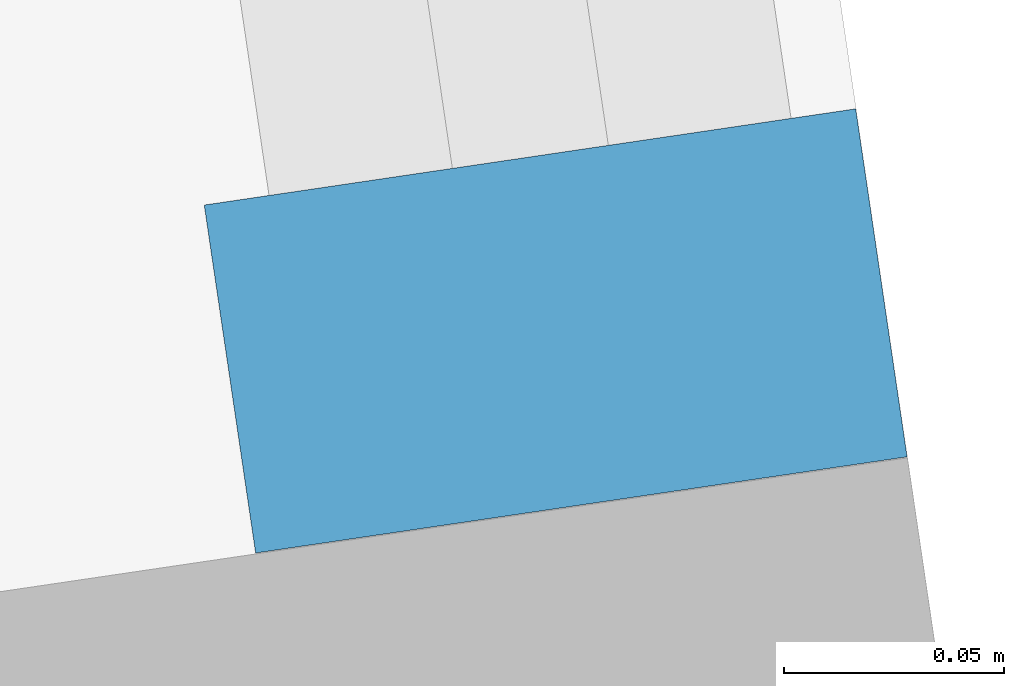
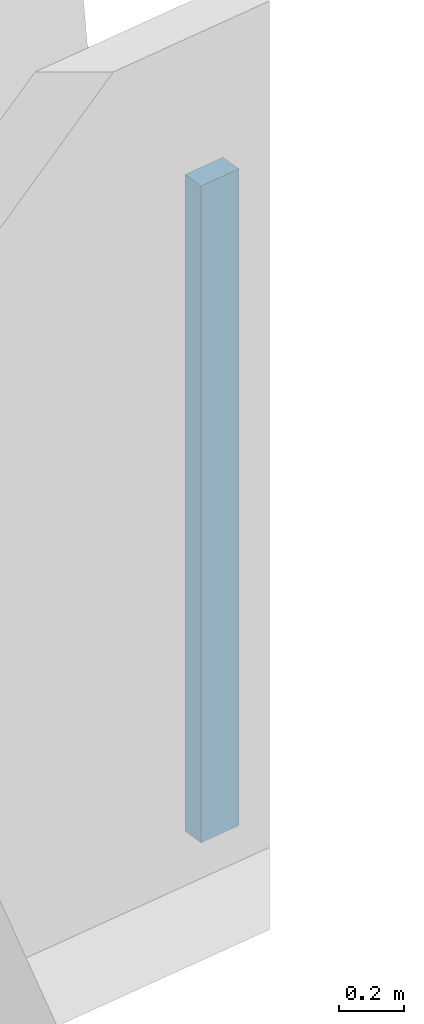
# One storey, part 5 of 21: 1 member, 1 element without a shape of its own.
"""IFC4 building model written with IfcOpenShell, lengths in metres."""

from ifc_helpers import new_model, si_unit, direction, frame, origin, origin_2d, place, context, subcontext, project, spatial, rectangle, extrude, material, layer, layer_set, material_profile, profile_set, type_object, element, aggregate, save


model = new_model("IFC4")

# Units and contexts
model_context = context("Model", 3, precision=1e-05, world=origin(), true_north=direction((0.0, 1.0)))
body_context = subcontext(model_context, "Body", "Model", "MODEL_VIEW")
ifc_project = project(units=[si_unit("LENGTHUNIT", "METRE"), si_unit("AREAUNIT", "SQUARE_METRE"), si_unit("VOLUMEUNIT", "CUBIC_METRE"), si_unit("PLANEANGLEUNIT", "RADIAN"), si_unit("MASSUNIT", "GRAM", prefix="KILO")], contexts=[model_context])

# Site, building, storey
site_placement = place(None, origin())
site = spatial("IfcSite", under=ifc_project, at=site_placement, CompositionType="ELEMENT")
building_placement = place(site_placement, origin())
building = spatial("IfcBuilding", under=site, at=building_placement, Name="Verdalira Terraces Hotel", CompositionType="ELEMENT")
storey_placement = place(building_placement, frame((0.0, 0.0, 190.5)))
storey = spatial("IfcBuildingStorey", under=building, at=storey_placement, Name="L46", CompositionType="ELEMENT", Elevation=190.5)

# Curtain wall, member
ifc_material_1 = material(Name="Clear glass", Category="glass")
ifc_layer = layer(ifc_material_1, 0.14990234375)
ifc_layer_set = layer_set([ifc_layer], Name="CW3 curtain wall")
curtain_wall_type = type_object("IfcCurtainWallType", Name="CW3 curtain wall", PredefinedType="NOTDEFINED", material=ifc_layer_set)
curtain_wall_placement = place(storey_placement, origin())
curtain_wall = element("IfcCurtainWall", 1, at=curtain_wall_placement, inside=storey, type_object=curtain_wall_type, Name="CW3 curtain wall L46 edge 33", PredefinedType="NOTDEFINED")
ifc_material_2 = material(Name="Terracotta frame", Category="masonry")
ifc_material_profile = material_profile(ifc_material_2, rectangle(XDim=0.080078, YDim=0.149902, at=origin_2d()), Name="MU 80x150")
ifc_profile_set = profile_set([ifc_material_profile], Name="Terracotta frame")
member_type = type_object("IfcMemberType", Name="CW3 mullion 80x150", PredefinedType="MULLION", material=ifc_profile_set)
member_placement = place(storey_placement, frame((28.870361, 1.523926, 0.0), z_axis=(0.0, 0.0, 1.0), x_axis=(-0.146083029, 0.989272333, 0.0)))
member = element("IfcMember", 2, at=member_placement, type_object=member_type, Name="CW3 mullion", PredefinedType="MULLION", context=body_context, shape_type="SweptSolid", body=[
    extrude(rectangle(XDim=0.080078, YDim=0.149902, at=origin_2d()), origin(), (0.0, 0.0, 1.0), 2.475098),
])
aggregate(curtain_wall, [member])

save(model, "model.ifc")
